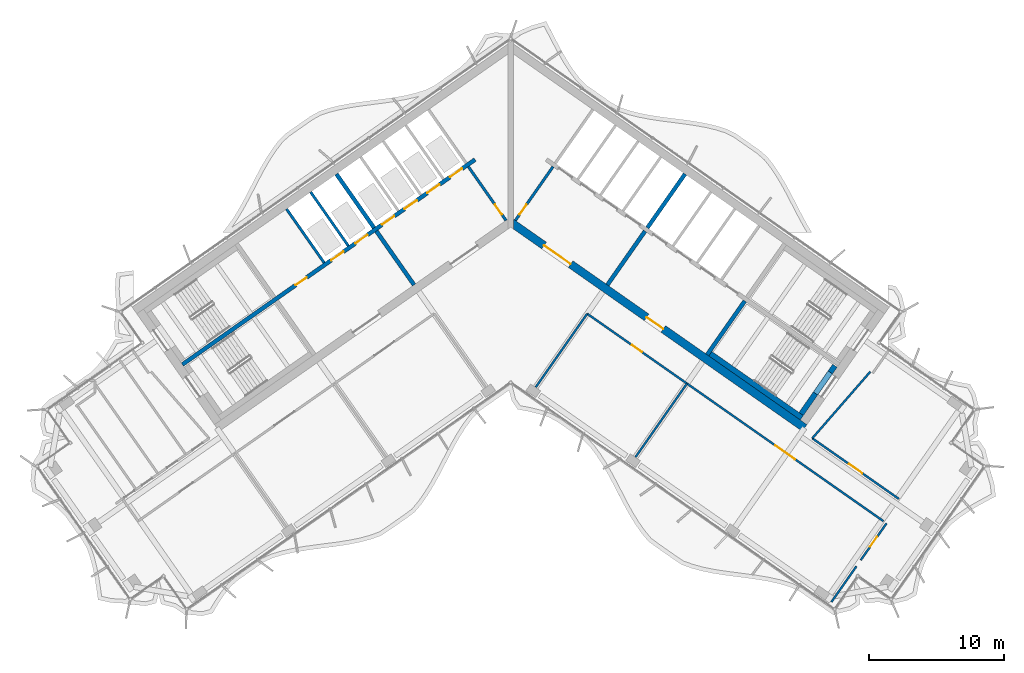
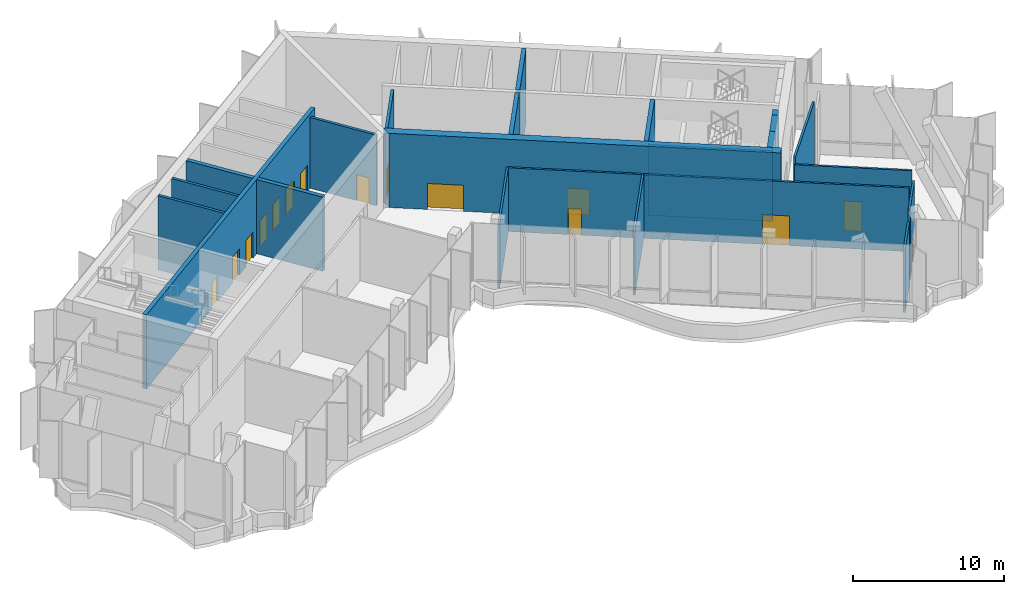
# One storey, part 13 of 22: 23 walls, 15 doors, 15 openings.
"""IFC4 building model written with IfcOpenShell, lengths in metres."""

from ifc_helpers import new_model, si_unit, direction, frame, frame_2d, origin, place, context, subcontext, project, spatial, polyline, rectangle, outline, extrude, material, layer, layer_set, type_object, element, fill, save


model = new_model("IFC4")

# Units and contexts
model_context = context("Model", 3, precision=1e-05, world=origin(), true_north=direction((0.0, 1.0)))
body_context = subcontext(model_context, "Body", "Model", "MODEL_VIEW")
ifc_project = project(units=[si_unit("LENGTHUNIT", "METRE"), si_unit("AREAUNIT", "SQUARE_METRE"), si_unit("VOLUMEUNIT", "CUBIC_METRE"), si_unit("PLANEANGLEUNIT", "RADIAN"), si_unit("MASSUNIT", "GRAM", prefix="KILO")], contexts=[model_context])

# Site, building, storey
site_placement = place(None, origin())
site = spatial("IfcSite", under=ifc_project, at=site_placement, CompositionType="ELEMENT")
building_placement = place(site_placement, origin())
building = spatial("IfcBuilding", under=site, at=building_placement, Name="Tel Ilan Convention Tower", CompositionType="ELEMENT")
storey_placement = place(building_placement, frame((0.0, 0.0, 219.39990234375)))
storey = spatial("IfcBuildingStorey", under=building, at=storey_placement, Name="L51", CompositionType="ELEMENT", Elevation=219.39990234375)

# Wall, opening, door
ifc_material_1 = material(Name="Concrete C30/37", Category="concrete")
ifc_layer_1 = layer(ifc_material_1, 0.199951171875)
ifc_layer_set_1 = layer_set([ifc_layer_1], Name="Core Service Room Wall 200 mm C30/37")
wall_type_1 = type_object("IfcWallType", Name="Core Service Room Wall 200 mm C30/37", PredefinedType="SOLIDWALL", material=ifc_layer_set_1)
wall_1_placement = place(storey_placement, frame((-0.343994140625, -0.729248046875, 0.0), z_axis=(0.0, 0.0, 1.0), x_axis=(-0.573560315113, 0.819163332265, 0.0)))
wall_1 = element("IfcWall", 1, at=wall_1_placement, inside=storey, type_object=wall_type_1, Name="L51 core wall apex-W", PredefinedType="SOLIDWALL", context=body_context, shape_type="SweptSolid", body=[
    extrude(rectangle(XDim=4.849853515625, YDim=0.199951171875, at=frame_2d((2.4248046875, 0.0))), origin(), (0.0, 0.0, 1.0), 5.72021484375),
])
opening_1_placement = place(wall_1_placement, frame((0.550048828125, 0.0, 0.0)))
opening_1 = element("IfcOpeningElement", 2, at=opening_1_placement, cuts=wall_1, Name="Opening CD4002", PredefinedType="OPENING", context=body_context, shape_type="SweptSolid", body=[
    extrude(rectangle(XDim=0.89990234375, YDim=2.10009765625, at=frame_2d((0.449951171875, 1.050048828125))), frame((0.0, 0.10986328125, 0.0), z_axis=(0.0, -1.0, 0.0), x_axis=(1.0, 0.0, 0.0)), (0.0, 0.0, 1.0), 0.219970703125),
])
ifc_material_2 = material(Name="Galvanised Steel Door Leaf", Category="steel")
door_type_1 = type_object("IfcDoorType", Name="Service Room Door 900 x 2100 FD60", OperationType="NOTDEFINED", PredefinedType="DOOR", material=ifc_material_2)
door_1_placement = place(opening_1_placement, origin())
door_1 = element("IfcDoor", 3, at=door_1_placement, inside=storey, type_object=door_type_1, Name="Electrical Room door", OperationType="SINGLE_SWING_RIGHT", OverallHeight=2.10009765625, OverallWidth=0.89990234375, PredefinedType="DOOR", context=body_context, shape_type="SweptSolid", body=[
    extrude(rectangle(XDim=0.89990234375, YDim=2.10009765625, at=frame_2d((0.449951171875, 1.050048828125))), frame((0.0, 0.02490234375, 0.0), z_axis=(0.0, -1.0, 0.0), x_axis=(1.0, 0.0, 0.0)), (0.0, 0.0, 1.0), 0.050048828125),
])
fill(opening_1, door_1)

wall_2_placement = place(storey_placement, frame((0.343994140625, -0.729248046875, 0.0), z_axis=(0.0, 0.0, 1.0), x_axis=(0.573560315113, 0.819163332265, 0.0)))
wall_2 = element("IfcWall", 4, at=wall_2_placement, inside=storey, type_object=wall_type_1, Name="L51 core wall apex-E", PredefinedType="SOLIDWALL", context=body_context, shape_type="SweptSolid", body=[
    extrude(rectangle(XDim=4.849853515625, YDim=0.199951171875, at=frame_2d((2.4248046875, 0.0))), origin(), (0.0, 0.0, 1.0), 5.72021484375),
])
opening_2_placement = place(wall_2_placement, frame((0.550048828125, 0.0, 0.0)))
opening_2 = element("IfcOpeningElement", 5, at=opening_2_placement, cuts=wall_2, Name="Opening CD4001", PredefinedType="OPENING", context=body_context, shape_type="SweptSolid", body=[
    extrude(rectangle(XDim=0.89990234375, YDim=2.10009765625, at=frame_2d((0.449951171875, 1.050048828125))), frame((0.0, 0.10986328125, 0.0), z_axis=(0.0, -1.0, 0.0), x_axis=(1.0, 0.0, 0.0)), (0.0, 0.0, 1.0), 0.219970703125),
])
door_2_placement = place(opening_2_placement, origin())
door_2 = element("IfcDoor", 6, at=door_2_placement, inside=storey, type_object=door_type_1, Name="Store Room door", OperationType="SINGLE_SWING_RIGHT", OverallHeight=2.10009765625, OverallWidth=0.89990234375, PredefinedType="DOOR", context=body_context, shape_type="SweptSolid", body=[
    extrude(rectangle(XDim=0.89990234375, YDim=2.10009765625, at=frame_2d((0.449951171875, 1.050048828125))), frame((0.0, 0.02490234375, 0.0), z_axis=(0.0, -1.0, 0.0), x_axis=(1.0, 0.0, 0.0)), (0.0, 0.0, 1.0), 0.050048828125),
])
fill(opening_2, door_2)

# Walls
ifc_material_3 = material(Name="Concrete C40/50", Category="concrete")
ifc_layer_2 = layer(ifc_material_3, 0.300048828125)
ifc_layer_set_2 = layer_set([ifc_layer_2], Name="Core Shear Wall 300 mm C40/50")
wall_type_2 = type_object("IfcWallType", Name="Core Shear Wall 300 mm C40/50", PredefinedType="SHEAR", material=ifc_layer_set_2)
wall_3_placement = place(storey_placement, frame((-7.142822265625, -5.48974609375, 0.0), z_axis=(0.0, 0.0, 1.0), x_axis=(-0.573617744349, 0.819123118565, 0.0)))
element("IfcWall", 7, at=wall_3_placement, inside=storey, type_object=wall_type_2, Name="L51 core wall W-cross1-1", PredefinedType="SHEAR", context=body_context, shape_type="SweptSolid", body=[
    extrude(outline(polyline([(4.85009765625, 0.14990234375), (0.0, 0.150146484375), (0.0, -0.14990234375), (4.85009765625, -0.150146484375), (4.85009765625, 0.14990234375)])), origin(), (0.0, 0.0, 1.0), 6.0),
])
wall_4_placement = place(storey_placement, frame((-10.096923828125, -1.271240234375, 0.0), z_axis=(0.0, 0.0, 1.0), x_axis=(-0.573560315113, 0.819163332265, 0.0)))
element("IfcWall", 8, at=wall_4_placement, inside=storey, type_object=wall_type_2, Name="L51 core wall W-cross1-2", PredefinedType="SHEAR", context=body_context, shape_type="SweptSolid", body=[
    extrude(outline(polyline([(4.849853515625, -0.14990234375), (4.849853515625, 0.150146484375), (0.0, 0.14990234375), (0.0, -0.150146484375), (4.849853515625, -0.14990234375)])), origin(), (0.0, 0.0, 1.0), 6.0),
])

# Wall, openings, doors
wall_5_placement = place(storey_placement, frame((-2.638427734375, 3.76806640625, 0.0), z_axis=(0.0, 0.0, 1.0), x_axis=(-0.819155014212, -0.573572194837, 0.0)))
wall_5 = element("IfcWall", 9, at=wall_5_placement, inside=storey, type_object=wall_type_2, Name="L51 core wall W-spine", PredefinedType="SHEAR", context=body_context, shape_type="SweptSolid", body=[
    extrude(outline(polyline([(26.39990234375, 0.150146484375), (0.0, 0.14990234375), (0.0, -0.150146484375), (26.39990234375, -0.14990234375), (26.39990234375, 0.150146484375)])), origin(), (0.0, 0.0, 1.0), 6.0),
])
opening_3_placement = place(wall_5_placement, frame((1.168701171875, 0.0, 0.0)))
opening_3 = element("IfcOpeningElement", 10, at=opening_3_placement, cuts=wall_5, Name="Opening LD4004", PredefinedType="OPENING", context=body_context, shape_type="SweptSolid", body=[
    extrude(rectangle(XDim=1.10009765625, YDim=2.10009765625, at=frame_2d((0.550048828125, 1.050048828125))), frame((0.0, 0.159912109375, 0.0), z_axis=(0.0, -1.0, 0.0), x_axis=(1.0, 0.0, 0.0)), (0.0, 0.0, 1.0), 0.320068359375),
])
opening_4_placement = place(wall_5_placement, frame((3.206298828125, 0.0, 0.0)))
opening_4 = element("IfcOpeningElement", 11, at=opening_4_placement, cuts=wall_5, Name="Opening LD4005", PredefinedType="OPENING", context=body_context, shape_type="SweptSolid", body=[
    extrude(rectangle(XDim=1.10009765625, YDim=2.10009765625, at=frame_2d((0.550048828125, 1.050048828125))), frame((0.0, 0.159912109375, 0.0), z_axis=(0.0, -1.0, 0.0), x_axis=(1.0, 0.0, 0.0)), (0.0, 0.0, 1.0), 0.320068359375),
])
opening_5_placement = place(wall_5_placement, frame((5.24365234375, 0.0, 0.0)))
opening_5 = element("IfcOpeningElement", 12, at=opening_5_placement, cuts=wall_5, Name="Opening LD4006", PredefinedType="OPENING", context=body_context, shape_type="SweptSolid", body=[
    extrude(rectangle(XDim=1.10009765625, YDim=2.10009765625, at=frame_2d((0.550048828125, 1.050048828125))), frame((0.0, 0.159912109375, 0.0), z_axis=(0.0, -1.0, 0.0), x_axis=(1.0, 0.0, 0.0)), (0.0, 0.0, 1.0), 0.320068359375),
])
opening_6_placement = place(wall_5_placement, frame((7.28125, 0.0, 0.0)))
opening_6 = element("IfcOpeningElement", 13, at=opening_6_placement, cuts=wall_5, Name="Opening LD4007", PredefinedType="OPENING", context=body_context, shape_type="SweptSolid", body=[
    extrude(rectangle(XDim=1.10009765625, YDim=2.10009765625, at=frame_2d((0.550048828125, 1.050048828125))), frame((0.0, 0.159912109375, 0.0), z_axis=(0.0, -1.0, 0.0), x_axis=(1.0, 0.0, 0.0)), (0.0, 0.0, 1.0), 0.320068359375),
])
opening_7_placement = place(wall_5_placement, frame((9.6875, 0.0, 0.0)))
opening_7 = element("IfcOpeningElement", 14, at=opening_7_placement, cuts=wall_5, Name="Opening LD4008", PredefinedType="OPENING", context=body_context, shape_type="SweptSolid", body=[
    extrude(rectangle(XDim=1.10009765625, YDim=2.10009765625, at=frame_2d((0.550048828125, 1.050048828125))), frame((0.0, 0.159912109375, 0.0), z_axis=(0.0, -1.0, 0.0), x_axis=(1.0, 0.0, 0.0)), (0.0, 0.0, 1.0), 0.320068359375),
])
opening_8_placement = place(wall_5_placement, frame((11.862548828125, 0.0, 0.0)))
opening_8 = element("IfcOpeningElement", 15, at=opening_8_placement, cuts=wall_5, Name="Opening LD4009", PredefinedType="OPENING", context=body_context, shape_type="SweptSolid", body=[
    extrude(rectangle(XDim=1.10009765625, YDim=2.10009765625, at=frame_2d((0.550048828125, 1.050048828125))), frame((0.0, 0.159912109375, 0.0), z_axis=(0.0, -1.0, 0.0), x_axis=(1.0, 0.0, 0.0)), (0.0, 0.0, 1.0), 0.320068359375),
])
opening_9_placement = place(wall_5_placement, frame((15.175048828125, 0.0, 0.0)))
opening_9 = element("IfcOpeningElement", 16, at=opening_9_placement, cuts=wall_5, Name="Opening CD4008", PredefinedType="OPENING", context=body_context, shape_type="SweptSolid", body=[
    extrude(rectangle(XDim=1.0, YDim=2.10009765625, at=frame_2d((0.5, 1.050048828125))), frame((0.0, 0.159912109375, 0.0), z_axis=(0.0, -1.0, 0.0), x_axis=(1.0, 0.0, 0.0)), (0.0, 0.0, 1.0), 0.320068359375),
])
ifc_material_4 = material(Name="Stainless Steel Sliding Door Leaf", Category="steel")
door_type_2 = type_object("IfcDoorType", Name="Lift Landing Door 1100 x 2100 FD120", OperationType="NOTDEFINED", PredefinedType="DOOR", material=ifc_material_4)
door_3_placement = place(opening_3_placement, origin())
door_3 = element("IfcDoor", 17, at=door_3_placement, inside=storey, type_object=door_type_2, Name="Lift HR1 landing door", OperationType="SLIDING_TO_LEFT", OverallHeight=2.10009765625, OverallWidth=1.10009765625, PredefinedType="DOOR", context=body_context, shape_type="SweptSolid", body=[
    extrude(rectangle(XDim=1.10009765625, YDim=2.10009765625, at=frame_2d((0.550048828125, 1.050048828125))), frame((0.0, 0.02490234375, 0.0), z_axis=(0.0, -1.0, 0.0), x_axis=(1.0, 0.0, 0.0)), (0.0, 0.0, 1.0), 0.050048828125),
])
fill(opening_3, door_3)
door_4_placement = place(opening_4_placement, origin())
door_4 = element("IfcDoor", 18, at=door_4_placement, inside=storey, type_object=door_type_2, Name="Lift HR2 landing door", OperationType="SLIDING_TO_RIGHT", OverallHeight=2.10009765625, OverallWidth=1.10009765625, PredefinedType="DOOR", context=body_context, shape_type="SweptSolid", body=[
    extrude(rectangle(XDim=1.10009765625, YDim=2.10009765625, at=frame_2d((0.550048828125, 1.050048828125))), frame((0.0, 0.02490234375, 0.0), z_axis=(0.0, -1.0, 0.0), x_axis=(1.0, 0.0, 0.0)), (0.0, 0.0, 1.0), 0.050048828125),
])
fill(opening_4, door_4)
door_5_placement = place(opening_5_placement, origin())
door_5 = element("IfcDoor", 19, at=door_5_placement, inside=storey, type_object=door_type_2, Name="Lift HR3 landing door", OperationType="SLIDING_TO_LEFT", OverallHeight=2.10009765625, OverallWidth=1.10009765625, PredefinedType="DOOR", context=body_context, shape_type="SweptSolid", body=[
    extrude(rectangle(XDim=1.10009765625, YDim=2.10009765625, at=frame_2d((0.550048828125, 1.050048828125))), frame((0.0, 0.02490234375, 0.0), z_axis=(0.0, -1.0, 0.0), x_axis=(1.0, 0.0, 0.0)), (0.0, 0.0, 1.0), 0.050048828125),
])
fill(opening_5, door_5)
door_6_placement = place(opening_6_placement, origin())
door_6 = element("IfcDoor", 20, at=door_6_placement, inside=storey, type_object=door_type_2, Name="Lift HR4 landing door", OperationType="SLIDING_TO_RIGHT", OverallHeight=2.10009765625, OverallWidth=1.10009765625, PredefinedType="DOOR", context=body_context, shape_type="SweptSolid", body=[
    extrude(rectangle(XDim=1.10009765625, YDim=2.10009765625, at=frame_2d((0.550048828125, 1.050048828125))), frame((0.0, 0.02490234375, 0.0), z_axis=(0.0, -1.0, 0.0), x_axis=(1.0, 0.0, 0.0)), (0.0, 0.0, 1.0), 0.050048828125),
])
fill(opening_6, door_6)
door_7_placement = place(opening_7_placement, origin())
door_7 = element("IfcDoor", 21, at=door_7_placement, inside=storey, type_object=door_type_2, Name="Lift HR5 landing door", OperationType="SLIDING_TO_LEFT", OverallHeight=2.10009765625, OverallWidth=1.10009765625, PredefinedType="DOOR", context=body_context, shape_type="SweptSolid", body=[
    extrude(rectangle(XDim=1.10009765625, YDim=2.10009765625, at=frame_2d((0.550048828125, 1.050048828125))), frame((0.0, 0.02490234375, 0.0), z_axis=(0.0, -1.0, 0.0), x_axis=(1.0, 0.0, 0.0)), (0.0, 0.0, 1.0), 0.050048828125),
])
fill(opening_7, door_7)
door_8_placement = place(opening_8_placement, origin())
door_8 = element("IfcDoor", 22, at=door_8_placement, inside=storey, type_object=door_type_2, Name="Lift HR6 landing door", OperationType="SLIDING_TO_RIGHT", OverallHeight=2.10009765625, OverallWidth=1.10009765625, PredefinedType="DOOR", context=body_context, shape_type="SweptSolid", body=[
    extrude(rectangle(XDim=1.10009765625, YDim=2.10009765625, at=frame_2d((0.550048828125, 1.050048828125))), frame((0.0, 0.02490234375, 0.0), z_axis=(0.0, -1.0, 0.0), x_axis=(1.0, 0.0, 0.0)), (0.0, 0.0, 1.0), 0.050048828125),
])
fill(opening_8, door_8)
ifc_material_5 = material(Name="Galvanised Steel Door Leaf", Category="steel")
door_type_3 = type_object("IfcDoorType", Name="Service Room Door 1000 x 2100 FD60", OperationType="NOTDEFINED", PredefinedType="DOOR", material=ifc_material_5)
door_9_placement = place(opening_9_placement, origin())
door_9 = element("IfcDoor", 23, at=door_9_placement, inside=storey, type_object=door_type_3, Name="Plant Room door", OperationType="SINGLE_SWING_RIGHT", OverallHeight=2.10009765625, OverallWidth=1.0, PredefinedType="DOOR", context=body_context, shape_type="SweptSolid", body=[
    extrude(rectangle(XDim=1.0, YDim=2.10009765625, at=frame_2d((0.5, 1.050048828125))), frame((0.0, 0.02490234375, 0.0), z_axis=(0.0, -1.0, 0.0), x_axis=(1.0, 0.0, 0.0)), (0.0, 0.0, 1.0), 0.050048828125),
])
fill(opening_9, door_9)

# Walls
wall_6_placement = place(storey_placement, frame((7.142822265625, -5.48974609375, 0.0), z_axis=(0.0, 0.0, 1.0), x_axis=(0.573617744349, 0.819123118565, 0.0)))
element("IfcWall", 24, at=wall_6_placement, inside=storey, type_object=wall_type_2, Name="L51 core wall E-cross1-1", PredefinedType="SHEAR", context=body_context, shape_type="SweptSolid", body=[
    extrude(outline(polyline([(0.0, 0.14990234375), (0.0, -0.150146484375), (4.85009765625, -0.14990234375), (4.85009765625, 0.150146484375), (0.0, 0.14990234375)])), origin(), (0.0, 0.0, 1.0), 6.0),
])
wall_7_placement = place(storey_placement, frame((10.096923828125, -1.271240234375, 0.0), z_axis=(0.0, 0.0, 1.0), x_axis=(0.573560315113, 0.819163332265, 0.0)))
element("IfcWall", 25, at=wall_7_placement, inside=storey, type_object=wall_type_2, Name="L51 core wall E-cross1-2", PredefinedType="SHEAR", context=body_context, shape_type="SweptSolid", body=[
    extrude(outline(polyline([(4.849853515625, -0.150146484375), (4.849853515625, 0.14990234375), (0.0, 0.150146484375), (0.0, -0.14990234375), (4.849853515625, -0.150146484375)])), origin(), (0.0, 0.0, 1.0), 6.0),
])
wall_8_placement = place(storey_placement, frame((14.515380859375, -10.652099609375, 0.0), z_axis=(0.0, 0.0, 1.0), x_axis=(0.573560315113, 0.819163332265, 0.0)))
element("IfcWall", 26, at=wall_8_placement, inside=storey, type_object=wall_type_2, Name="L51 core wall E-cross2-1", PredefinedType="SHEAR", context=body_context, shape_type="SweptSolid", body=[
    extrude(outline(polyline([(0.0, 0.150146484375), (0.0, -0.14990234375), (4.85009765625, -0.14990234375), (4.85009765625, 0.14990234375), (0.0, 0.150146484375)])), origin(), (0.0, 0.0, 1.0), 6.0),
])

# Wall, openings, doors
ifc_material_6 = material(Name="Concrete C40/50", Category="concrete")
ifc_layer_3 = layer(ifc_material_6, 0.60009765625)
ifc_layer_set_3 = layer_set([ifc_layer_3], Name="Core Shear Wall 600 mm C40/50")
wall_type_3 = type_object("IfcWallType", Name="Core Shear Wall 600 mm C40/50", PredefinedType="SHEAR", material=ifc_layer_set_3)
wall_9_placement = place(storey_placement, frame((0.02783203125, -0.8740234375, 0.0), z_axis=(0.0, 0.0, 1.0), x_axis=(0.819150035022, -0.573579305871, 0.0)))
wall_9 = element("IfcWall", 27, at=wall_9_placement, inside=storey, type_object=wall_type_3, Name="L51 core wall E-front", PredefinedType="SHEAR", context=body_context, shape_type="SweptSolid", body=[
    extrude(outline(polyline([(26.475830078125, 0.300048828125), (0.000244140625, 0.300048828125), (0.420166015625, -0.300048828125), (26.475830078125, -0.2998046875), (26.475830078125, 0.300048828125)])), origin(), (0.0, 0.0, 1.0), 6.0),
])
opening_10_placement = place(wall_9_placement, frame((2.975830078125, 0.0, 0.0)))
opening_10 = element("IfcOpeningElement", 28, at=opening_10_placement, cuts=wall_9, Name="Opening CD4003", PredefinedType="OPENING", context=body_context, shape_type="SweptSolid", body=[
    extrude(rectangle(XDim=2.39990234375, YDim=2.10009765625, at=frame_2d((1.199951171875, 1.050048828125))), frame((0.0, 0.31005859375, 0.0), z_axis=(0.0, -1.0, 0.0), x_axis=(1.0, 0.0, 0.0)), (0.0, 0.0, 1.0), 0.6201171875),
])
opening_11_placement = place(wall_9_placement, frame((12.225830078125, 0.0, 0.0)))
opening_11 = element("IfcOpeningElement", 29, at=opening_11_placement, cuts=wall_9, Name="Opening CD4004", PredefinedType="OPENING", context=body_context, shape_type="SweptSolid", body=[
    extrude(rectangle(XDim=1.5, YDim=2.10009765625, at=frame_2d((0.75, 1.050048828125))), frame((0.0, 0.31005859375, 0.0), z_axis=(0.0, -1.0, 0.0), x_axis=(1.0, 0.0, 0.0)), (0.0, 0.0, 1.0), 0.6201171875),
])
ifc_material_7 = material(Name="Glazed Aluminium Door Leaf", Category="aluminium")
door_type_4 = type_object("IfcDoorType", Name="Lobby Opening Door 1500 x 2100 FD60S", OperationType="NOTDEFINED", PredefinedType="DOOR", material=ifc_material_7)
door_10_placement = place(opening_11_placement, origin())
door_10 = element("IfcDoor", 30, at=door_10_placement, inside=storey, type_object=door_type_4, Name="Firefighting Lobby door", OperationType="DOUBLE_DOOR_SINGLE_SWING", OverallHeight=2.10009765625, OverallWidth=1.5, PredefinedType="DOOR", context=body_context, shape_type="SweptSolid", body=[
    extrude(rectangle(XDim=1.5, YDim=2.10009765625, at=frame_2d((0.75, 1.050048828125))), frame((0.0, 0.02490234375, 0.0), z_axis=(0.0, -1.0, 0.0), x_axis=(1.0, 0.0, 0.0)), (0.0, 0.0, 1.0), 0.050048828125),
])
fill(opening_11, door_10)
ifc_material_8 = material(Name="Glazed Aluminium Door Leaf", Category="aluminium")
door_type_5 = type_object("IfcDoorType", Name="Lobby Opening Door 2400 x 2100 FD60S", OperationType="NOTDEFINED", PredefinedType="DOOR", material=ifc_material_8)
door_11_placement = place(opening_10_placement, origin())
door_11 = element("IfcDoor", 31, at=door_11_placement, inside=storey, type_object=door_type_5, Name="Shuttle Lobby opening", OperationType="DOUBLE_DOOR_SINGLE_SWING", OverallHeight=2.10009765625, OverallWidth=2.39990234375, PredefinedType="DOOR", context=body_context, shape_type="SweptSolid", body=[
    extrude(rectangle(XDim=2.39990234375, YDim=2.10009765625, at=frame_2d((1.199951171875, 1.050048828125))), frame((0.0, 0.02490234375, 0.0), z_axis=(0.0, -1.0, 0.0), x_axis=(1.0, 0.0, 0.0)), (0.0, 0.0, 1.0), 0.050048828125),
])
fill(opening_10, door_11)

# Wall, opening, door
ifc_material_9 = material(Name="Plasterboard on Steel Studs", Category="steel")
ifc_layer_4 = layer(ifc_material_9, 0.14990234375)
ifc_layer_set_4 = layer_set([ifc_layer_4], Name="Fire-rated Partition 150 EI 60")
wall_type_4 = type_object("IfcWallType", Name="Fire-rated Partition 150 EI 60", PredefinedType="PARTITIONING", material=ifc_layer_set_4)
wall_10_placement = place(storey_placement, frame((22.283203125, -16.82373046875, 0.0), z_axis=(0.0, 0.0, 1.0), x_axis=(0.819160003262, -0.573565069591, 0.0)))
wall_10 = element("IfcWall", 32, at=wall_10_placement, inside=storey, type_object=wall_type_4, Name="Partition 001", PredefinedType="PARTITIONING", context=body_context, shape_type="SweptSolid", body=[
    extrude(rectangle(XDim=7.8154296875, YDim=0.14990234375, at=frame_2d((3.90771484375, 0.0))), origin(), (0.0, 0.0, 1.0), 5.150146484375),
])
opening_12_placement = place(wall_10_placement, frame((3.3076171875, 0.0, 0.0)))
opening_12 = element("IfcOpeningElement", 33, at=opening_12_placement, cuts=wall_10, Name="Opening L51-010", PredefinedType="OPENING", context=body_context, shape_type="SweptSolid", body=[
    extrude(rectangle(XDim=1.199951171875, YDim=2.39990234375, at=frame_2d((0.60009765625, 1.199951171875))), frame((0.0, 0.0849609375, 0.0), z_axis=(0.0, -1.0, 0.0), x_axis=(1.0, 0.0, 0.0)), (0.0, 0.0, 1.0), 0.169921875),
])
ifc_material_10 = material(Name="Glazed Aluminium Door", Category="aluminium")
door_type_6 = type_object("IfcDoorType", Name="Glazed Lobby Door 1200x2400", OperationType="NOTDEFINED", PredefinedType="DOOR", material=ifc_material_10)
door_12_placement = place(opening_12_placement, origin())
door_12 = element("IfcDoor", 34, at=door_12_placement, inside=storey, type_object=door_type_6, Name="Door L51-010", OperationType="DOUBLE_DOOR_SINGLE_SWING", OverallHeight=2.39990234375, OverallWidth=1.199951171875, PredefinedType="DOOR", context=body_context, shape_type="SweptSolid", body=[
    extrude(rectangle(XDim=1.199951171875, YDim=2.39990234375, at=frame_2d((0.60009765625, 1.199951171875))), frame((0.0, 0.02490234375, 0.0), z_axis=(0.0, -1.0, 0.0), x_axis=(1.0, 0.0, 0.0)), (0.0, 0.0, 1.0), 0.050048828125),
])
fill(opening_12, door_12)

wall_11_placement = place(storey_placement, frame((13.025634765625, -12.782958984375, 0.0), z_axis=(0.0, 0.0, 1.0), x_axis=(-0.81915291695, 0.57357519006, 0.0)))
wall_11 = element("IfcWall", 35, at=wall_11_placement, inside=storey, type_object=wall_type_4, Name="Partition 002", PredefinedType="PARTITIONING", context=body_context, shape_type="SweptSolid", body=[
    extrude(rectangle(XDim=9.001953125, YDim=0.14990234375, at=frame_2d((4.5009765625, 0.0))), origin(), (0.0, 0.0, 1.0), 5.150146484375),
])
opening_13_placement = place(wall_11_placement, frame((4.051025390625, 0.0, 0.0)))
opening_13 = element("IfcOpeningElement", 36, at=opening_13_placement, cuts=wall_11, Name="Opening L51-008", PredefinedType="OPENING", context=body_context, shape_type="SweptSolid", body=[
    extrude(rectangle(XDim=0.89990234375, YDim=2.10009765625, at=frame_2d((0.449951171875, 1.050048828125))), frame((0.0, 0.0849609375, 0.0), z_axis=(0.0, -1.0, 0.0), x_axis=(1.0, 0.0, 0.0)), (0.0, 0.0, 1.0), 0.169921875),
])
ifc_material_11 = material(Name="Timber Door Leaf in Steel Frame", Category="steel")
door_type_7 = type_object("IfcDoorType", Name="Room Fire Door 900x2100", OperationType="NOTDEFINED", PredefinedType="DOOR", material=ifc_material_11)
door_13_placement = place(opening_13_placement, origin())
door_13 = element("IfcDoor", 37, at=door_13_placement, inside=storey, type_object=door_type_7, Name="Door L51-008", OperationType="SINGLE_SWING_LEFT", OverallHeight=2.10009765625, OverallWidth=0.89990234375, PredefinedType="DOOR", context=body_context, shape_type="SweptSolid", body=[
    extrude(rectangle(XDim=0.89990234375, YDim=2.10009765625, at=frame_2d((0.449951171875, 1.050048828125))), frame((0.0, 0.02490234375, 0.0), z_axis=(0.0, -1.0, 0.0), x_axis=(1.0, 0.0, 0.0)), (0.0, 0.0, 1.0), 0.050048828125),
])
fill(opening_13, door_13)

wall_12_placement = place(storey_placement, frame((27.5380859375, -22.94482421875, 0.0), z_axis=(0.0, 0.0, 1.0), x_axis=(-0.819149062641, 0.573580694562, 0.0)))
wall_12 = element("IfcWall", 38, at=wall_12_placement, inside=storey, type_object=wall_type_4, Name="Partition 003", PredefinedType="PARTITIONING", context=body_context, shape_type="SweptSolid", body=[
    extrude(rectangle(XDim=17.720458984375, YDim=0.14990234375, at=frame_2d((8.8603515625, 0.0))), origin(), (0.0, 0.0, 1.0), 5.150146484375),
])
opening_14_placement = place(wall_12_placement, frame((7.960205078125, 0.0, 0.0)))
opening_14 = element("IfcOpeningElement", 39, at=opening_14_placement, cuts=wall_12, Name="Opening L51-009", PredefinedType="OPENING", context=body_context, shape_type="SweptSolid", body=[
    extrude(rectangle(XDim=1.800048828125, YDim=2.39990234375, at=frame_2d((0.89990234375, 1.199951171875))), frame((0.0, 0.0849609375, 0.0), z_axis=(0.0, -1.0, 0.0), x_axis=(1.0, 0.0, 0.0)), (0.0, 0.0, 1.0), 0.169921875),
])
ifc_material_12 = material(Name="Timber Door Leaf in Steel Frame", Category="steel")
door_type_8 = type_object("IfcDoorType", Name="Hall Double Fire Door 1800x2400", OperationType="NOTDEFINED", PredefinedType="DOOR", material=ifc_material_12)
door_14_placement = place(opening_14_placement, origin())
door_14 = element("IfcDoor", 40, at=door_14_placement, inside=storey, type_object=door_type_8, Name="Door L51-009", OperationType="DOUBLE_DOOR_SINGLE_SWING", OverallHeight=2.39990234375, OverallWidth=1.800048828125, PredefinedType="DOOR", context=body_context, shape_type="SweptSolid", body=[
    extrude(rectangle(XDim=1.800048828125, YDim=2.39990234375, at=frame_2d((0.89990234375, 1.199951171875))), frame((0.0, 0.02490234375, 0.0), z_axis=(0.0, -1.0, 0.0), x_axis=(1.0, 0.0, 0.0)), (0.0, 0.0, 1.0), 0.050048828125),
])
fill(opening_14, door_14)

# Walls
wall_13_placement = place(storey_placement, frame((22.284912109375, -16.82470703125, 0.0), z_axis=(0.0, 0.0, 1.0), x_axis=(0.656781429942, 0.754080999153, 0.0)))
element("IfcWall", 41, at=wall_13_placement, inside=storey, type_object=wall_type_4, Name="Partition 012", PredefinedType="PARTITIONING", context=body_context, shape_type="SweptSolid", body=[
    extrude(rectangle(XDim=6.536376953125, YDim=0.14990234375, at=frame_2d((3.26806640625, 0.0))), origin(), (0.0, 0.0, 1.0), 5.72021484375),
])
wall_14_placement = place(storey_placement, frame((13.02392578125, -12.78173828125, 0.0), z_axis=(0.0, 0.0, 1.0), x_axis=(-0.573556251799, -0.819166177294, 0.0)))
element("IfcWall", 42, at=wall_14_placement, inside=storey, type_object=wall_type_4, Name="Partition 014", PredefinedType="PARTITIONING", context=body_context, shape_type="SweptSolid", body=[
    extrude(rectangle(XDim=6.630126953125, YDim=0.14990234375, at=frame_2d((3.31494140625, 0.0))), origin(), (0.0, 0.0, 1.0), 5.150146484375),
])
wall_15_placement = place(storey_placement, frame((1.848876953125, -13.050537109375, 0.0), z_axis=(0.0, 0.0, 1.0), x_axis=(0.57357355307, 0.819154063177, 0.0)))
element("IfcWall", 43, at=wall_15_placement, inside=storey, type_object=wall_type_4, Name="Partition 015", PredefinedType="PARTITIONING", context=body_context, shape_type="SweptSolid", body=[
    extrude(rectangle(XDim=6.6298828125, YDim=0.14990234375, at=frame_2d((3.31494140625, 0.0))), origin(), (0.0, 0.0, 1.0), 5.150146484375),
])

# Wall, opening, door
wall_16_placement = place(storey_placement, frame((27.768798828125, -23.106201171875, 0.0), z_axis=(0.0, 0.0, 1.0), x_axis=(-0.57359535459, -0.81913879727, 0.0)))
wall_16 = element("IfcWall", 44, at=wall_16_placement, inside=storey, type_object=wall_type_4, Name="Partition 016", PredefinedType="PARTITIONING", context=body_context, shape_type="SweptSolid", body=[
    extrude(rectangle(XDim=3.325927734375, YDim=0.14990234375, at=frame_2d((1.6630859375, 0.0))), origin(), (0.0, 0.0, 1.0), 5.72021484375),
])
opening_15_placement = place(wall_16_placement, frame((1.212890625, 0.0, 0.0)))
opening_15 = element("IfcOpeningElement", 45, at=opening_15_placement, cuts=wall_16, Name="Opening L51-011", PredefinedType="OPENING", context=body_context, shape_type="SweptSolid", body=[
    extrude(rectangle(XDim=0.89990234375, YDim=2.10009765625, at=frame_2d((0.449951171875, 1.050048828125))), frame((0.0, 0.0849609375, 0.0), z_axis=(0.0, -1.0, 0.0), x_axis=(1.0, 0.0, 0.0)), (0.0, 0.0, 1.0), 0.169921875),
])
door_15_placement = place(opening_15_placement, origin())
door_15 = element("IfcDoor", 46, at=door_15_placement, inside=storey, type_object=door_type_7, Name="Door L51-011", OperationType="SINGLE_SWING_RIGHT", OverallHeight=2.10009765625, OverallWidth=0.89990234375, PredefinedType="DOOR", context=body_context, shape_type="SweptSolid", body=[
    extrude(rectangle(XDim=0.89990234375, YDim=2.10009765625, at=frame_2d((0.449951171875, 1.050048828125))), frame((0.0, 0.02490234375, 0.0), z_axis=(0.0, -1.0, 0.0), x_axis=(1.0, 0.0, 0.0)), (0.0, 0.0, 1.0), 0.050048828125),
])
fill(opening_15, door_15)

# Walls
wall_17_placement = place(storey_placement, frame((25.54443359375, -26.28271484375, 0.0), z_axis=(0.0, 0.0, 1.0), x_axis=(-0.573584756791, -0.819146218191, 0.0)))
element("IfcWall", 47, at=wall_17_placement, inside=storey, type_object=wall_type_4, Name="Partition 017", PredefinedType="PARTITIONING", context=body_context, shape_type="SweptSolid", body=[
    extrude(rectangle(XDim=3.21240234375, YDim=0.14990234375, at=frame_2d((1.606201171875, 0.0))), origin(), (0.0, 0.0, 1.0), 5.10009765625),
])
ifc_material_13 = material(Name="Concrete C30/37", Category="concrete")
ifc_layer_5 = layer(ifc_material_13, 0.199951171875)
ifc_layer_set_5 = layer_set([ifc_layer_5], Name="Lift Shaft Wall 200 mm C30/37")
wall_type_5 = type_object("IfcWallType", Name="Lift Shaft Wall 200 mm C30/37", PredefinedType="SOLIDWALL", material=ifc_layer_set_5)
wall_18_placement = place(storey_placement, frame((-12.00146484375, -2.604736328125, 0.0), z_axis=(0.0, 0.0, 1.0), x_axis=(-0.573560315113, 0.819163332265, 0.0)))
element("IfcWall", 48, at=wall_18_placement, inside=storey, type_object=wall_type_5, Name="L51 core wall bank-W2-p0", PredefinedType="SOLIDWALL", context=body_context, shape_type="SweptSolid", body=[
    extrude(rectangle(XDim=4.849853515625, YDim=0.199951171875, at=frame_2d((2.4248046875, 0.0))), origin(), (0.0, 0.0, 1.0), 6.0),
])
wall_19_placement = place(storey_placement, frame((-13.782958984375, -3.852294921875, 0.0), z_axis=(0.0, 0.0, 1.0), x_axis=(-0.573594092424, 0.81913968109, 0.0)))
element("IfcWall", 49, at=wall_19_placement, inside=storey, type_object=wall_type_5, Name="L51 core wall bank-W2-p1", PredefinedType="SOLIDWALL", context=body_context, shape_type="SweptSolid", body=[
    extrude(rectangle(XDim=4.85009765625, YDim=0.199951171875, at=frame_2d((2.425048828125, 0.0))), origin(), (0.0, 0.0, 1.0), 6.0),
])
ifc_material_14 = material(Name="Concrete C30/37", Category="concrete")
ifc_layer_6 = layer(ifc_material_14, 0.39990234375)
ifc_layer_set_6 = layer_set([ifc_layer_6], Name="Stair and Shaft Lining Wall 400 mm C30/37")
wall_type_6 = type_object("IfcWallType", Name="Stair and Shaft Lining Wall 400 mm C30/37", PredefinedType="SOLIDWALL", material=ifc_layer_set_6)
wall_20_placement = place(storey_placement, frame((14.7529296875, -10.57421875, 0.0), z_axis=(0.0, 0.0, 1.0), x_axis=(0.819158229677, -0.573567602601, 0.0)))
element("IfcWall", 50, at=wall_20_placement, inside=storey, type_object=wall_type_6, Name="L51 core wall lining-S4-t0", PredefinedType="SOLIDWALL", context=body_context, shape_type="SweptSolid", body=[
    extrude(rectangle(XDim=8.25, YDim=0.39990234375, at=frame_2d((4.125, 0.0))), origin(), (0.0, 0.0, 1.0), 5.72021484375),
])
wall_21_placement = place(storey_placement, frame((21.4619140625, -15.027587890625, 0.0), z_axis=(0.0, 0.0, 1.0), x_axis=(0.573559770908, 0.819163713305, 0.0)))
element("IfcWall", 51, at=wall_21_placement, inside=storey, type_object=wall_type_6, Name="L51 core wall lining-S4-u1-0", PredefinedType="SOLIDWALL", context=body_context, shape_type="SweptSolid", body=[
    extrude(rectangle(XDim=1.849853515625, YDim=0.39990234375, at=frame_2d((0.9248046875, 0.0))), origin(), (0.0, 0.0, 1.0), 5.72021484375),
])
wall_22_placement = place(storey_placement, frame((23.61279296875, -11.955810546875, 0.0), z_axis=(0.0, 0.0, 1.0), x_axis=(0.573435029941, 0.819251039936, 0.0)))
element("IfcWall", 52, at=wall_22_placement, inside=storey, type_object=wall_type_6, Name="L51 core wall lining-S4-u1-1", PredefinedType="SOLIDWALL", context=body_context, shape_type="SweptSolid", body=[
    extrude(rectangle(XDim=0.599853515625, YDim=0.39990234375, at=frame_2d((0.2998046875, 0.0))), origin(), (0.0, 0.0, 1.0), 5.72021484375),
])
wall_23_placement = place(storey_placement, frame((22.52294921875, -13.51220703125, 2.150146484375), z_axis=(0.0, 0.0, 1.0), x_axis=(0.573591692345, 0.819141361715, 0.0)))
element("IfcWall", 53, at=wall_23_placement, inside=storey, type_object=wall_type_6, Name="L51 core wall lining-S4-u1-lintel", PredefinedType="SOLIDWALL", context=body_context, shape_type="SweptSolid", body=[
    extrude(rectangle(XDim=1.900146484375, YDim=0.39990234375, at=frame_2d((0.9501953125, 0.0))), origin(), (0.0, 0.0, 1.0), 3.570068359375),
])

save(model, "model.ifc")
